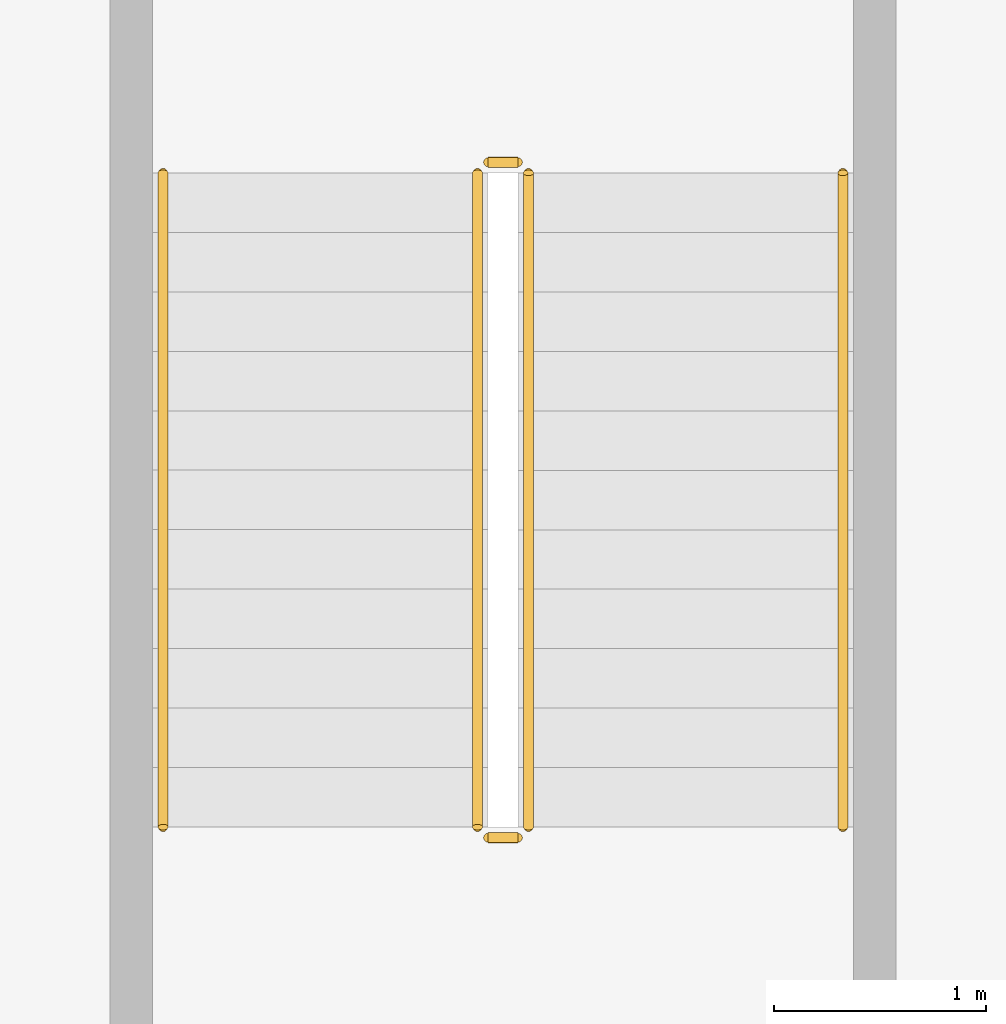
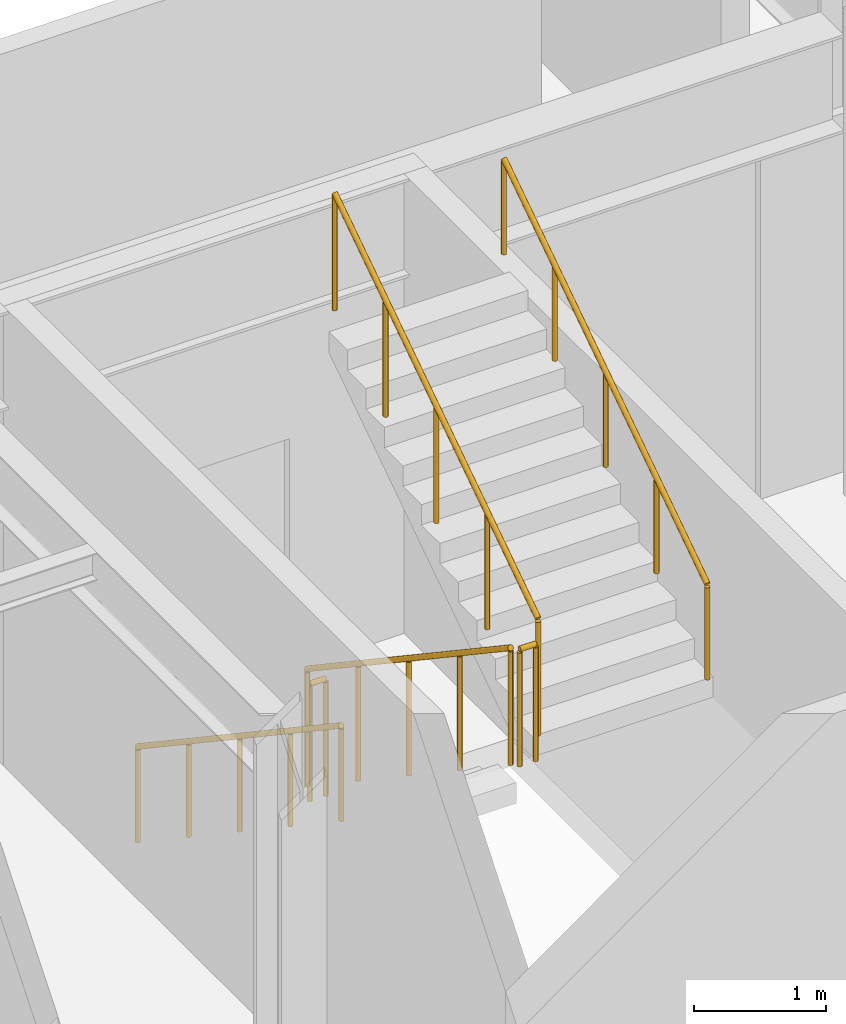
# One storey, part 11 of 14: 6 railings.
"""IFC4 building model written with IfcOpenShell, lengths in metres."""

from ifc_helpers import new_model, si_unit, direction, frame, origin, origin_2d, place, context, subcontext, project, spatial, circle, extrude, material, type_object, element, save


model = new_model("IFC4")

# Units and contexts
model_context = context("Model", 3, precision=1e-05, world=origin(), true_north=direction((0.0, 1.0)))
body_context = subcontext(model_context, "Body", "Model", "MODEL_VIEW")
ifc_project = project(units=[si_unit("LENGTHUNIT", "METRE"), si_unit("AREAUNIT", "SQUARE_METRE"), si_unit("VOLUMEUNIT", "CUBIC_METRE"), si_unit("PLANEANGLEUNIT", "RADIAN"), si_unit("MASSUNIT", "GRAM", prefix="KILO")], contexts=[model_context])

# Site, building, storey
site_placement = place(None, origin())
site = spatial("IfcSite", under=ifc_project, at=site_placement, CompositionType="ELEMENT")
building_placement = place(site_placement, origin())
building = spatial("IfcBuilding", under=site, at=building_placement, Name="Varnakote Quay Hospital", CompositionType="ELEMENT")
storey_placement = place(building_placement, frame((0.0, 0.0, -4.5)))
storey = spatial("IfcBuildingStorey", under=building, at=storey_placement, Name="B01", CompositionType="ELEMENT", Elevation=-4.5)

# Railings
ifc_material_1 = material(Name="Brushed stainless steel balustrade", Category="steel")
railing_type_1 = type_object("IfcRailingType", Name="RLG-STAIR-GUARD-1150", PredefinedType="GUARDRAIL", material=ifc_material_1)
railing_1_placement = place(storey_placement, frame((44.6298828125, 10.300048828125, 0.1875)))
element("IfcRailing", 1, at=railing_1_placement, inside=storey, type_object=railing_type_1, Name="B01 ST-03 stair guard 1", PredefinedType="GUARDRAIL", context=body_context, shape_type="SweptSolid", body=[
    extrude(circle(Radius=0.02392578125, at=origin_2d()), frame((0.0, 0.0, 1.076171875), z_axis=(0.0, -0.830913701846, 0.55640131208), x_axis=(1.0, 0.0, 0.0)), (0.0, 0.0, 1.0), 3.706787109375),
    extrude(circle(Radius=0.02099609375, at=origin_2d()), origin(), (0.0, 0.0, 1.0), 1.052001953125),
    extrude(circle(Radius=0.02099609375, at=origin_2d()), frame((0.0, -0.77001953125, 0.515625)), (0.0, 0.0, 1.0), 1.052001953125),
    extrude(circle(Radius=0.02099609375, at=origin_2d()), frame((0.0, -1.5400390625, 1.03125)), (0.0, 0.0, 1.0), 1.052001953125),
    extrude(circle(Radius=0.02099609375, at=origin_2d()), frame((0.0, -2.31005859375, 1.546875)), (0.0, 0.0, 1.0), 1.052001953125),
    extrude(circle(Radius=0.02099609375, at=origin_2d()), frame((0.0, -3.080078125, 2.0625)), (0.0, 0.0, 1.0), 1.052001953125),
])
railing_2_placement = place(storey_placement, frame((44.679931640625, 7.169921875, 2.25)))
element("IfcRailing", 2, at=railing_2_placement, inside=storey, type_object=railing_type_1, Name="B01 ST-03 stair guard 2", PredefinedType="GUARDRAIL", context=body_context, shape_type="SweptSolid", body=[
    extrude(circle(Radius=0.02392578125, at=origin_2d()), frame((0.0, 0.0, 1.076171875), z_axis=(1.0, 0.0, 0.0), x_axis=(0.0, 1.0, 0.0)), (0.0, 0.0, 1.0), 0.14013671875),
    extrude(circle(Radius=0.02099609375, at=origin_2d()), origin(), (0.0, 0.0, 1.0), 1.052001953125),
    extrude(circle(Radius=0.02099609375, at=origin_2d()), frame((0.14013671875, 0.0, 0.0)), (0.0, 0.0, 1.0), 1.052001953125),
])
railing_3_placement = place(storey_placement, frame((44.8701171875, 7.219970703125, 2.4375)))
element("IfcRailing", 3, at=railing_3_placement, inside=storey, type_object=railing_type_1, Name="B01 ST-03 stair guard 3", PredefinedType="GUARDRAIL", context=body_context, shape_type="SweptSolid", body=[
    extrude(circle(Radius=0.02392578125, at=origin_2d()), frame((0.0, 0.0, 1.076171875), z_axis=(0.0, 0.830913701846, 0.55640131208), x_axis=(-1.0, 0.0, 0.0)), (0.0, 0.0, 1.0), 3.706787109375),
    extrude(circle(Radius=0.02099609375, at=origin_2d()), origin(), (0.0, 0.0, 1.0), 1.052001953125),
    extrude(circle(Radius=0.02099609375, at=origin_2d()), frame((0.0, 0.77001953125, 0.515625)), (0.0, 0.0, 1.0), 1.052001953125),
    extrude(circle(Radius=0.02099609375, at=origin_2d()), frame((0.0, 1.5400390625, 1.03125)), (0.0, 0.0, 1.0), 1.052001953125),
    extrude(circle(Radius=0.02099609375, at=origin_2d()), frame((0.0, 2.31005859375, 1.546875)), (0.0, 0.0, 1.0), 1.052001953125),
    extrude(circle(Radius=0.02099609375, at=origin_2d()), frame((0.0, 3.080078125, 2.0625)), (0.0, 0.0, 1.0), 1.052001953125),
])
railing_4_placement = place(storey_placement, frame((44.679931640625, 10.35009765625, 0.0)))
element("IfcRailing", 4, at=railing_4_placement, inside=storey, type_object=railing_type_1, Name="B01 ST-03 stair guard 4", PredefinedType="GUARDRAIL", context=body_context, shape_type="SweptSolid", body=[
    extrude(circle(Radius=0.02392578125, at=origin_2d()), frame((0.0, 0.0, 1.076171875), z_axis=(1.0, 0.0, 0.0), x_axis=(0.0, 1.0, 0.0)), (0.0, 0.0, 1.0), 0.14013671875),
    extrude(circle(Radius=0.02099609375, at=origin_2d()), origin(), (0.0, 0.0, 1.0), 1.052001953125),
    extrude(circle(Radius=0.02099609375, at=origin_2d()), frame((0.14013671875, 0.0, 0.0)), (0.0, 0.0, 1.0), 1.052001953125),
])
ifc_material_2 = material(Name="Brushed stainless steel handrail", Category="steel")
railing_type_2 = type_object("IfcRailingType", Name="RLG-STAIR-HND-920", PredefinedType="HANDRAIL", material=ifc_material_2)
railing_5_placement = place(storey_placement, frame((43.14990234375, 10.300048828125, 0.1875)))
element("IfcRailing", 5, at=railing_5_placement, inside=storey, type_object=railing_type_2, Name="B01 ST-03 stair handrail 1", PredefinedType="HANDRAIL", context=body_context, shape_type="SweptSolid", body=[
    extrude(circle(Radius=0.02392578125, at=origin_2d()), frame((0.0, 0.0, 0.8759765625), z_axis=(0.0, -0.830913701846, 0.55640131208), x_axis=(1.0, 0.0, 0.0)), (0.0, 0.0, 1.0), 3.706787109375),
    extrude(circle(Radius=0.02099609375, at=origin_2d()), origin(), (0.0, 0.0, 1.0), 0.851806640625),
    extrude(circle(Radius=0.02099609375, at=origin_2d()), frame((0.0, -0.77001953125, 0.515625)), (0.0, 0.0, 1.0), 0.851806640625),
    extrude(circle(Radius=0.02099609375, at=origin_2d()), frame((0.0, -1.5400390625, 1.03125)), (0.0, 0.0, 1.0), 0.851806640625),
    extrude(circle(Radius=0.02099609375, at=origin_2d()), frame((0.0, -2.31005859375, 1.546875)), (0.0, 0.0, 1.0), 0.851806640625),
    extrude(circle(Radius=0.02099609375, at=origin_2d()), frame((0.0, -3.080078125, 2.0625)), (0.0, 0.0, 1.0), 0.851806640625),
])
railing_6_placement = place(storey_placement, frame((46.35009765625, 7.219970703125, 2.4375)))
element("IfcRailing", 6, at=railing_6_placement, inside=storey, type_object=railing_type_2, Name="B01 ST-03 stair handrail 2", PredefinedType="HANDRAIL", context=body_context, shape_type="SweptSolid", body=[
    extrude(circle(Radius=0.02392578125, at=origin_2d()), frame((0.0, 0.0, 0.8759765625), z_axis=(0.0, 0.830913701846, 0.55640131208), x_axis=(-1.0, 0.0, 0.0)), (0.0, 0.0, 1.0), 3.706787109375),
    extrude(circle(Radius=0.02099609375, at=origin_2d()), origin(), (0.0, 0.0, 1.0), 0.851806640625),
    extrude(circle(Radius=0.02099609375, at=origin_2d()), frame((0.0, 0.77001953125, 0.515625)), (0.0, 0.0, 1.0), 0.851806640625),
    extrude(circle(Radius=0.02099609375, at=origin_2d()), frame((0.0, 1.5400390625, 1.03125)), (0.0, 0.0, 1.0), 0.851806640625),
    extrude(circle(Radius=0.02099609375, at=origin_2d()), frame((0.0, 2.31005859375, 1.546875)), (0.0, 0.0, 1.0), 0.851806640625),
    extrude(circle(Radius=0.02099609375, at=origin_2d()), frame((0.0, 3.080078125, 2.0625)), (0.0, 0.0, 1.0), 0.851806640625),
])

save(model, "model.ifc")
